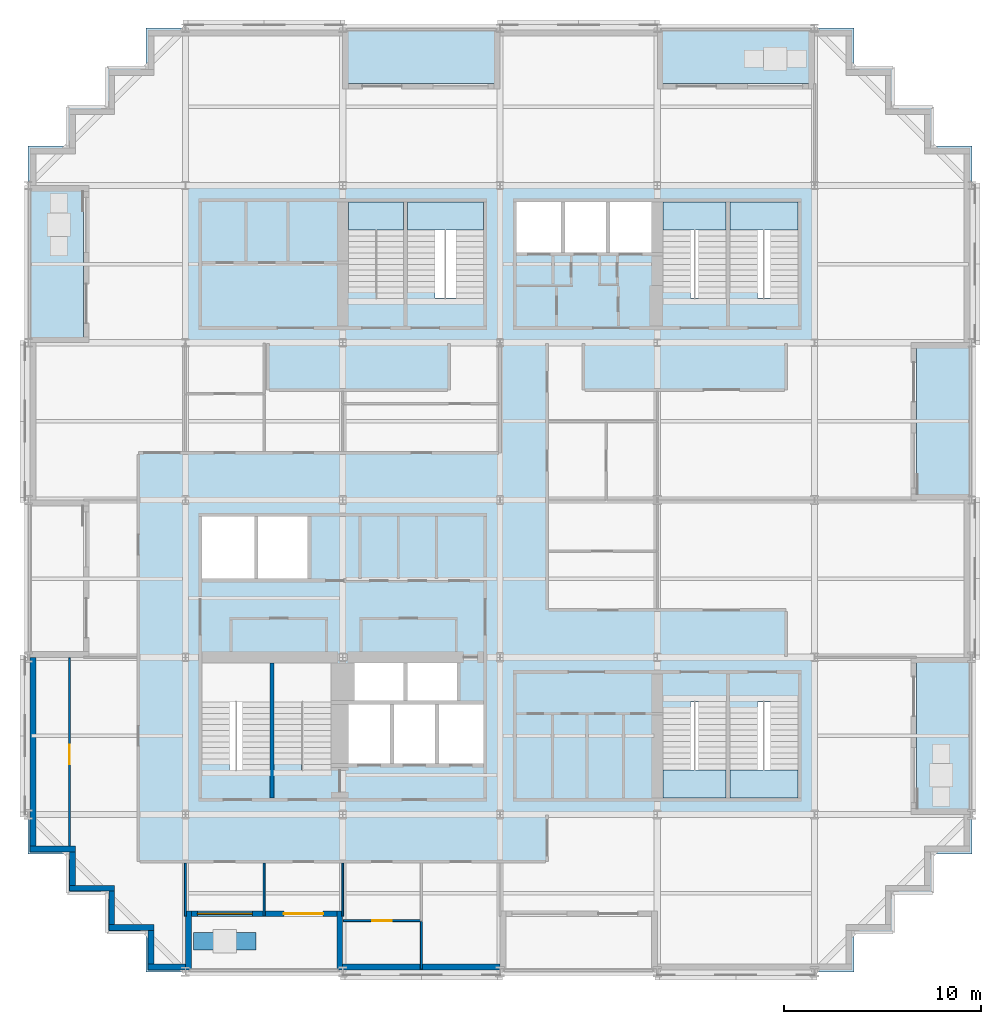
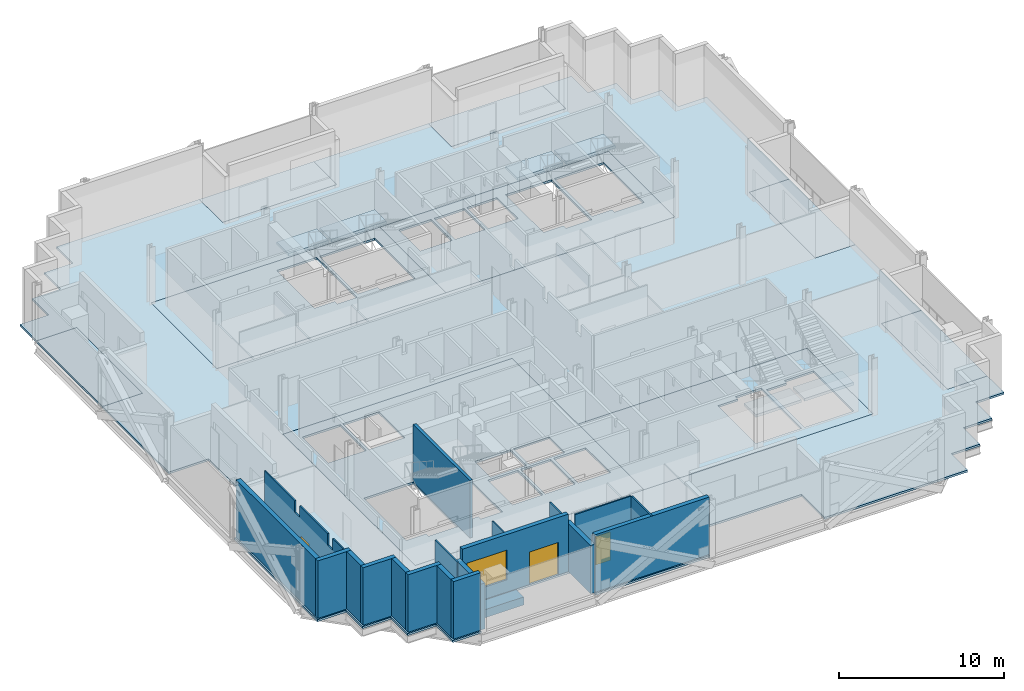
# One storey, part 4 of 14: 20 walls, 16 slabs, 3 doors, 1 window, 4 openings, 6 elements without a shape of their own.
"""IFC4 building model written with IfcOpenShell, lengths in metres."""

from ifc_helpers import new_model, si_unit, direction, frame, frame_2d, origin, place, context, subcontext, project, spatial, polyline, rectangle, outline, extrude, material, layer, layer_set, type_object, element, fill, aggregate, save


model = new_model("IFC4")

# Units and contexts
model_context = context("Model", 3, precision=1e-05, world=origin(), true_north=direction((0.0, 1.0)))
body_context = subcontext(model_context, "Body", "Model", "MODEL_VIEW")
ifc_project = project(units=[si_unit("LENGTHUNIT", "METRE"), si_unit("AREAUNIT", "SQUARE_METRE"), si_unit("VOLUMEUNIT", "CUBIC_METRE"), si_unit("PLANEANGLEUNIT", "RADIAN"), si_unit("MASSUNIT", "GRAM", prefix="KILO")], contexts=[model_context])

# Site, building, storey
site_placement = place(None, origin())
site = spatial("IfcSite", under=ifc_project, at=site_placement, CompositionType="ELEMENT")
building_placement = place(site_placement, origin())
building = spatial("IfcBuilding", under=site, at=building_placement, Name="Immortelle Media Tower", CompositionType="ELEMENT")
storey_placement = place(building_placement, frame((0.0, 0.0, 43.60009765625)))
storey = spatial("IfcBuildingStorey", under=building, at=storey_placement, Name="L06", CompositionType="ELEMENT", Elevation=43.60009765625)

# Slabs
ifc_material_1 = material(Name="Concrete C50/60 composite deck", Category="concrete")
ifc_layer_1 = layer(ifc_material_1, 0.14990234375)
ifc_layer_set_1 = layer_set([ifc_layer_1], Name="Concrete C50/60 composite deck")
slab_type_1 = type_object("IfcSlabType", Name="Balcony slab 150", PredefinedType="FLOOR", material=ifc_layer_set_1)
slab_1_placement = place(storey_placement, frame((0.0, 0.0, -0.150146484375)))
element("IfcSlab", 1, at=slab_1_placement, inside=storey, type_object=slab_type_1, Name="Balcony slab L06 W0", PredefinedType="FLOOR", context=body_context, shape_type="SweptSolid", body=[
    extrude(outline(polyline([(2.800048828125, 32.0), (2.800048828125, 40.0), (0.0, 40.0), (0.0, 32.0), (2.800048828125, 32.0)])), origin(), (0.0, 0.0, 1.0), 0.150146484375),
])
slab_2_placement = place(storey_placement, frame((0.0, 0.0, -0.150146484375)))
element("IfcSlab", 2, at=slab_2_placement, inside=storey, type_object=slab_type_1, Name="Balcony slab L06 E0", PredefinedType="FLOOR", context=body_context, shape_type="SweptSolid", body=[
    extrude(outline(polyline([(48.0, 8.0), (48.0, 16.0), (45.199951171875, 16.0), (45.199951171875, 8.0), (48.0, 8.0)])), origin(), (0.0, 0.0, 1.0), 0.150146484375),
])
slab_3_placement = place(storey_placement, frame((0.0, 0.0, -0.150146484375)))
element("IfcSlab", 3, at=slab_3_placement, inside=storey, type_object=slab_type_1, Name="Balcony slab L06 E2", PredefinedType="FLOOR", context=body_context, shape_type="SweptSolid", body=[
    extrude(outline(polyline([(48.0, 24.0), (48.0, 32.0), (45.199951171875, 32.0), (45.199951171875, 24.0), (48.0, 24.0)])), origin(), (0.0, 0.0, 1.0), 0.150146484375),
])
slab_4_placement = place(storey_placement, frame((0.0, 0.0, -0.150146484375)))
element("IfcSlab", 4, at=slab_4_placement, inside=storey, type_object=slab_type_1, Name="Balcony slab L06 N0", PredefinedType="FLOOR", context=body_context, shape_type="SweptSolid", body=[
    extrude(outline(polyline([(40.0, 45.199951171875), (40.0, 48.0), (32.0, 48.0), (32.0, 45.199951171875), (40.0, 45.199951171875)])), origin(), (0.0, 0.0, 1.0), 0.150146484375),
])
slab_5_placement = place(storey_placement, frame((0.0, 0.0, -0.150146484375)))
element("IfcSlab", 5, at=slab_5_placement, inside=storey, type_object=slab_type_1, Name="Balcony slab L06 N2", PredefinedType="FLOOR", context=body_context, shape_type="SweptSolid", body=[
    extrude(outline(polyline([(24.0, 45.199951171875), (24.0, 48.0), (16.0, 48.0), (16.0, 45.199951171875), (24.0, 45.199951171875)])), origin(), (0.0, 0.0, 1.0), 0.150146484375),
])
ifc_material_2 = material(Name="Concrete C50/60", Category="concrete")
ifc_layer_2 = layer(ifc_material_2, 0.14990234375)
ifc_layer_set_2 = layer_set([ifc_layer_2], Name="Concrete C50/60")
slab_type_2 = type_object("IfcSlabType", Name="Composite floor slab 150", PredefinedType="FLOOR", material=ifc_layer_set_2)
slab_6_placement = place(storey_placement, frame((0.0, 0.0, -0.150146484375)))
element("IfcSlab", 6, at=slab_6_placement, inside=storey, type_object=slab_type_2, Name="Floor slab L06", PredefinedType="FLOOR", context=body_context, shape_type="SweptSolid", body=[
    extrude(outline(polyline([(6.0, 0.0), (6.0, 2.0), (4.0, 2.0), (4.0, 4.0), (2.0, 4.0), (2.0, 6.0), (0.0, 6.0), (0.0, 16.0), (2.800048828125, 16.0), (2.800048828125, 24.0), (0.0, 24.0), (0.0, 32.0), (2.800048828125, 32.0), (2.800048828125, 40.0), (0.0, 40.0), (0.0, 42.0), (2.0, 42.0), (2.0, 44.0), (4.0, 44.0), (4.0, 46.0), (6.0, 46.0), (6.0, 48.0), (16.0, 48.0), (16.0, 45.199951171875), (24.0, 45.199951171875), (24.0, 48.0), (32.0, 48.0), (32.0, 45.199951171875), (40.0, 45.199951171875), (40.0, 48.0), (42.0, 48.0), (42.0, 46.0), (44.0, 46.0), (44.0, 44.0), (46.0, 44.0), (46.0, 42.0), (48.0, 42.0), (48.0, 32.0), (45.199951171875, 32.0), (45.199951171875, 24.0), (48.0, 24.0), (48.0, 16.0), (45.199951171875, 16.0), (45.199951171875, 8.0), (48.0, 8.0), (48.0, 6.0), (46.0, 6.0), (46.0, 4.0), (44.0, 4.0), (44.0, 2.0), (42.0, 2.0), (42.0, 0.0), (32.0, 0.0), (32.0, 2.800048828125), (24.0, 2.800048828125), (24.0, 0.0), (16.0, 0.0), (16.0, 2.800048828125), (8.0, 2.800048828125), (8.0, 0.0), (6.0, 0.0)]), holes=[polyline([(24.0, 24.0), (8.0, 24.0), (8.0, 8.0), (24.0, 8.0), (40.0, 8.0), (40.0, 16.0), (24.0, 16.0), (24.0, 24.0)]), polyline([(24.0, 32.0), (40.0, 32.0), (40.0, 40.0), (24.0, 40.0), (8.0, 40.0), (8.0, 32.0), (24.0, 32.0)])]), origin(), (0.0, 0.0, 1.0), 0.150146484375),
])
ifc_layer_3 = layer(ifc_material_2, 0.14990234375)
ifc_layer_set_3 = layer_set([ifc_layer_3], Name="Concrete C50/60")
slab_type_3 = type_object("IfcSlabType", Name="Core floor slab 150", PredefinedType="FLOOR", material=ifc_layer_set_3)
slab_7_placement = place(storey_placement, frame((0.0, 0.0, -0.150146484375)))
element("IfcSlab", 7, at=slab_7_placement, inside=storey, type_object=slab_type_3, Name="Core floor SW", PredefinedType="FLOOR", context=body_context, shape_type="SweptSolid", body=[
    extrude(outline(polyline([(8.0, 8.0), (24.0, 8.0), (24.0, 24.0), (8.0, 24.0), (8.0, 8.0)]), holes=[polyline([(8.85009765625, 20.0), (11.5, 20.0), (11.5, 23.14990234375), (8.85009765625, 23.14990234375), (8.85009765625, 20.0)]), polyline([(11.699951171875, 20.0), (14.199951171875, 20.0), (14.199951171875, 23.14990234375), (11.699951171875, 23.14990234375), (11.699951171875, 20.0)]), polyline([(16.60009765625, 13.800048828125), (19.10009765625, 13.800048828125), (19.10009765625, 15.699951171875), (16.60009765625, 15.699951171875), (16.60009765625, 13.800048828125)]), polyline([(19.300048828125, 13.800048828125), (21.800048828125, 13.800048828125), (21.800048828125, 15.699951171875), (19.300048828125, 15.699951171875), (19.300048828125, 13.800048828125)]), polyline([(16.300048828125, 10.60009765625), (18.39990234375, 10.60009765625), (18.39990234375, 13.60009765625), (16.300048828125, 13.60009765625), (16.300048828125, 10.60009765625)]), polyline([(18.60009765625, 10.60009765625), (20.699951171875, 10.60009765625), (20.699951171875, 13.60009765625), (18.60009765625, 13.60009765625), (18.60009765625, 10.60009765625)]), polyline([(20.89990234375, 10.60009765625), (23.14990234375, 10.60009765625), (23.14990234375, 13.60009765625), (20.89990234375, 13.60009765625), (20.89990234375, 10.60009765625)]), polyline([(8.85009765625, 15.699951171875), (12.300048828125, 15.699951171875), (12.300048828125, 10.27001953125), (10.25, 10.27001953125), (10.25, 10.56005859375), (8.85009765625, 10.56005859375), (8.85009765625, 15.699951171875)]), polyline([(12.5, 15.699951171875), (15.39990234375, 15.699951171875), (15.39990234375, 10.27001953125), (13.89990234375, 10.27001953125), (13.89990234375, 10.56005859375), (12.5, 10.56005859375), (12.5, 15.699951171875)])]), origin(), (0.0, 0.0, 1.0), 0.150146484375),
])
slab_8_placement = place(storey_placement, frame((0.0, 0.0, -0.150146484375)))
element("IfcSlab", 8, at=slab_8_placement, inside=storey, type_object=slab_type_3, Name="Core floor SE", PredefinedType="FLOOR", context=body_context, shape_type="SweptSolid", body=[
    extrude(outline(polyline([(24.0, 8.0), (40.0, 8.0), (40.0, 16.0), (24.0, 16.0), (24.0, 8.0)]), holes=[polyline([(35.5, 13.72998046875), (35.5, 8.85009765625), (32.300048828125, 8.85009765625), (32.300048828125, 13.43994140625), (33.699951171875, 13.43994140625), (33.699951171875, 13.72998046875), (35.5, 13.72998046875)]), polyline([(39.14990234375, 13.72998046875), (39.14990234375, 8.85009765625), (35.699951171875, 8.85009765625), (35.699951171875, 13.43994140625), (37.10009765625, 13.43994140625), (37.10009765625, 13.72998046875), (39.14990234375, 13.72998046875)])]), origin(), (0.0, 0.0, 1.0), 0.150146484375),
])
slab_9_placement = place(storey_placement, frame((0.0, 0.0, -0.150146484375)))
element("IfcSlab", 9, at=slab_9_placement, inside=storey, type_object=slab_type_3, Name="Core floor NW", PredefinedType="FLOOR", context=body_context, shape_type="SweptSolid", body=[
    extrude(outline(polyline([(8.0, 32.0), (24.0, 32.0), (24.0, 40.0), (8.0, 40.0), (8.0, 32.0)]), holes=[polyline([(16.300048828125, 39.14990234375), (19.10009765625, 39.14990234375), (19.10009765625, 34.27001953125), (17.699951171875, 34.27001953125), (17.699951171875, 34.56005859375), (16.300048828125, 34.56005859375), (16.300048828125, 39.14990234375)]), polyline([(19.300048828125, 39.14990234375), (23.14990234375, 39.14990234375), (23.14990234375, 34.27001953125), (20.699951171875, 34.27001953125), (20.699951171875, 34.56005859375), (19.300048828125, 34.56005859375), (19.300048828125, 39.14990234375)])]), origin(), (0.0, 0.0, 1.0), 0.150146484375),
])
slab_10_placement = place(storey_placement, frame((0.0, 0.0, -0.150146484375)))
element("IfcSlab", 10, at=slab_10_placement, inside=storey, type_object=slab_type_3, Name="Core floor NE", PredefinedType="FLOOR", context=body_context, shape_type="SweptSolid", body=[
    extrude(outline(polyline([(24.0, 32.0), (40.0, 32.0), (40.0, 40.0), (24.0, 40.0), (24.0, 32.0)]), holes=[polyline([(24.85009765625, 36.60009765625), (27.10009765625, 36.60009765625), (27.10009765625, 39.14990234375), (24.85009765625, 39.14990234375), (24.85009765625, 36.60009765625)]), polyline([(27.300048828125, 36.60009765625), (29.39990234375, 36.60009765625), (29.39990234375, 39.14990234375), (27.300048828125, 39.14990234375), (27.300048828125, 36.60009765625)]), polyline([(29.60009765625, 36.60009765625), (31.699951171875, 36.60009765625), (31.699951171875, 39.14990234375), (29.60009765625, 39.14990234375), (29.60009765625, 36.60009765625)]), polyline([(32.300048828125, 39.14990234375), (35.5, 39.14990234375), (35.5, 34.27001953125), (33.699951171875, 34.27001953125), (33.699951171875, 34.56005859375), (32.300048828125, 34.56005859375), (32.300048828125, 39.14990234375)]), polyline([(35.699951171875, 39.14990234375), (39.14990234375, 39.14990234375), (39.14990234375, 34.27001953125), (37.10009765625, 34.27001953125), (37.10009765625, 34.56005859375), (35.699951171875, 34.56005859375), (35.699951171875, 39.14990234375)])]), origin(), (0.0, 0.0, 1.0), 0.150146484375),
])

# Stair, slab
ifc_material_3 = material(Name="Steel ASTM A992 Gr 50", Category="steel")
stair_type = type_object("IfcStairType", Name="Stair with flights", PredefinedType="DOUBLE_RETURN_STAIR", material=ifc_material_3)
stair_1_placement = place(storey_placement, origin())
stair_1 = element("IfcStair", 11, at=stair_1_placement, inside=storey, type_object=stair_type, Name="Exit stair SE1", PredefinedType="DOUBLE_RETURN_STAIR")
ifc_material_4 = material(Name="Steel ASTM A572 Gr 50", Category="steel")
ifc_layer_4 = layer(ifc_material_4, 0.199951171875)
ifc_layer_set_4 = layer_set([ifc_layer_4], Name="Steel ASTM A572 Gr 50")
slab_type_4 = type_object("IfcSlabType", Name="Stair landing 200", PredefinedType="LANDING", material=ifc_layer_set_4)
slab_11_placement = place(storey_placement, frame((0.0, 0.0, 1.911865234375)))
slab_11 = element("IfcSlab", 12, at=slab_11_placement, type_object=slab_type_4, Name="ST SE1 landing 1", PredefinedType="LANDING", context=body_context, shape_type="SweptSolid", body=[
    extrude(outline(polyline([(32.300048828125, 8.85009765625), (35.5, 8.85009765625), (35.5, 10.27001953125), (32.300048828125, 10.27001953125), (32.300048828125, 8.85009765625)])), origin(), (0.0, 0.0, 1.0), 0.199951171875),
])
aggregate(stair_1, [slab_11])

stair_2_placement = place(storey_placement, origin())
stair_2 = element("IfcStair", 13, at=stair_2_placement, inside=storey, type_object=stair_type, Name="Exit stair SE2", PredefinedType="DOUBLE_RETURN_STAIR")
slab_12_placement = place(storey_placement, frame((0.0, 0.0, 1.911865234375)))
slab_12 = element("IfcSlab", 14, at=slab_12_placement, type_object=slab_type_4, Name="ST SE2 landing 1", PredefinedType="LANDING", context=body_context, shape_type="SweptSolid", body=[
    extrude(outline(polyline([(35.699951171875, 8.85009765625), (39.14990234375, 8.85009765625), (39.14990234375, 10.27001953125), (35.699951171875, 10.27001953125), (35.699951171875, 8.85009765625)])), origin(), (0.0, 0.0, 1.0), 0.199951171875),
])
aggregate(stair_2, [slab_12])

stair_3_placement = place(storey_placement, origin())
stair_3 = element("IfcStair", 15, at=stair_3_placement, inside=storey, type_object=stair_type, Name="Exit stair NW1", PredefinedType="DOUBLE_RETURN_STAIR")
slab_13_placement = place(storey_placement, frame((0.0, 0.0, 1.911865234375)))
slab_13 = element("IfcSlab", 16, at=slab_13_placement, type_object=slab_type_4, Name="ST NW1 landing 1", PredefinedType="LANDING", context=body_context, shape_type="SweptSolid", body=[
    extrude(outline(polyline([(16.300048828125, 37.72998046875), (19.10009765625, 37.72998046875), (19.10009765625, 39.14990234375), (16.300048828125, 39.14990234375), (16.300048828125, 37.72998046875)])), origin(), (0.0, 0.0, 1.0), 0.199951171875),
])
aggregate(stair_3, [slab_13])

stair_4_placement = place(storey_placement, origin())
stair_4 = element("IfcStair", 17, at=stair_4_placement, inside=storey, type_object=stair_type, Name="Exit stair NW2", PredefinedType="DOUBLE_RETURN_STAIR")
slab_14_placement = place(storey_placement, frame((0.0, 0.0, 1.911865234375)))
slab_14 = element("IfcSlab", 18, at=slab_14_placement, type_object=slab_type_4, Name="ST NW2 landing 1", PredefinedType="LANDING", context=body_context, shape_type="SweptSolid", body=[
    extrude(outline(polyline([(19.300048828125, 37.72998046875), (23.14990234375, 37.72998046875), (23.14990234375, 39.14990234375), (19.300048828125, 39.14990234375), (19.300048828125, 37.72998046875)])), origin(), (0.0, 0.0, 1.0), 0.199951171875),
])
aggregate(stair_4, [slab_14])

stair_5_placement = place(storey_placement, origin())
stair_5 = element("IfcStair", 19, at=stair_5_placement, inside=storey, type_object=stair_type, Name="Exit stair NE1", PredefinedType="DOUBLE_RETURN_STAIR")
slab_15_placement = place(storey_placement, frame((0.0, 0.0, 1.911865234375)))
slab_15 = element("IfcSlab", 20, at=slab_15_placement, type_object=slab_type_4, Name="ST NE1 landing 1", PredefinedType="LANDING", context=body_context, shape_type="SweptSolid", body=[
    extrude(outline(polyline([(32.300048828125, 37.72998046875), (35.5, 37.72998046875), (35.5, 39.14990234375), (32.300048828125, 39.14990234375), (32.300048828125, 37.72998046875)])), origin(), (0.0, 0.0, 1.0), 0.199951171875),
])
aggregate(stair_5, [slab_15])

stair_6_placement = place(storey_placement, origin())
stair_6 = element("IfcStair", 21, at=stair_6_placement, inside=storey, type_object=stair_type, Name="Exit stair NE2", PredefinedType="DOUBLE_RETURN_STAIR")
slab_16_placement = place(storey_placement, frame((0.0, 0.0, 1.911865234375)))
slab_16 = element("IfcSlab", 22, at=slab_16_placement, type_object=slab_type_4, Name="ST NE2 landing 1", PredefinedType="LANDING", context=body_context, shape_type="SweptSolid", body=[
    extrude(outline(polyline([(35.699951171875, 37.72998046875), (39.14990234375, 37.72998046875), (39.14990234375, 39.14990234375), (35.699951171875, 39.14990234375), (35.699951171875, 37.72998046875)])), origin(), (0.0, 0.0, 1.0), 0.199951171875),
])
aggregate(stair_6, [slab_16])

# Walls
ifc_material_5 = material(Name="Pale aluminium cladding panel", Category="aluminium")
ifc_layer_5 = layer(ifc_material_5, 0.030029296875)
ifc_material_6 = material(Name="Steel ASTM A653 SS Gr 50 stud frame with mineral wool", Category="steel")
ifc_layer_6 = layer(ifc_material_6, 0.257568359375)
ifc_material_7 = material(Name="Moisture-resistant gypsum board", Category="gypsum")
ifc_layer_7 = layer(ifc_material_7, 0.012451171875)
ifc_layer_set_5 = layer_set([ifc_layer_5, ifc_layer_6, ifc_layer_7], Name="Steel ASTM A653 SS Gr 50 stud frame with mineral wool")
wall_type_1 = type_object("IfcWallType", Name="Facade wall 300", PredefinedType="SOLIDWALL", material=ifc_layer_set_5)
wall_1_placement = place(storey_placement, frame((0.25, 16.0, 0.0), z_axis=(0.0, 0.0, 1.0), x_axis=(0.0, -1.0, 0.0)))
element("IfcWall", 23, at=wall_1_placement, inside=storey, type_object=wall_type_1, Name="Facade wall L06 W0", PredefinedType="SOLIDWALL", context=body_context, shape_type="SweptSolid", body=[
    extrude(rectangle(XDim=9.60009765625, YDim=0.300048828125, at=frame_2d((4.800048828125, 0.0))), origin(), (0.0, 0.0, 1.0), 4.25),
])
wall_2_placement = place(storey_placement, frame((0.10009765625, 6.25, 0.0), z_axis=(0.0, 0.0, 1.0), x_axis=(1.0, 0.0, 0.0)))
element("IfcWall", 24, at=wall_2_placement, inside=storey, type_object=wall_type_1, Name="Facade wall L06 S1", PredefinedType="SOLIDWALL", context=body_context, shape_type="SweptSolid", body=[
    extrude(rectangle(XDim=2.2998046875, YDim=0.300048828125, at=frame_2d((1.14990234375, 0.0))), origin(), (0.0, 0.0, 1.0), 4.25),
])
wall_3_placement = place(storey_placement, frame((2.25, 6.10009765625, 0.0), z_axis=(0.0, 0.0, 1.0), x_axis=(0.0, -1.0, 0.0)))
element("IfcWall", 25, at=wall_3_placement, inside=storey, type_object=wall_type_1, Name="Facade wall L06 W2", PredefinedType="SOLIDWALL", context=body_context, shape_type="SweptSolid", body=[
    extrude(rectangle(XDim=1.7001953125, YDim=0.300048828125, at=frame_2d((0.85009765625, 0.0))), origin(), (0.0, 0.0, 1.0), 4.25),
])
wall_4_placement = place(storey_placement, frame((2.10009765625, 4.25, 0.0), z_axis=(0.0, 0.0, 1.0), x_axis=(1.0, 0.0, 0.0)))
element("IfcWall", 26, at=wall_4_placement, inside=storey, type_object=wall_type_1, Name="Facade wall L06 S3", PredefinedType="SOLIDWALL", context=body_context, shape_type="SweptSolid", body=[
    extrude(rectangle(XDim=2.2998046875, YDim=0.300048828125, at=frame_2d((1.14990234375, 0.0))), origin(), (0.0, 0.0, 1.0), 4.25),
])
wall_5_placement = place(storey_placement, frame((4.25, 4.10009765625, 0.0), z_axis=(0.0, 0.0, 1.0), x_axis=(0.0, -1.0, 0.0)))
element("IfcWall", 27, at=wall_5_placement, inside=storey, type_object=wall_type_1, Name="Facade wall L06 W4", PredefinedType="SOLIDWALL", context=body_context, shape_type="SweptSolid", body=[
    extrude(rectangle(XDim=1.7001953125, YDim=0.300048828125, at=frame_2d((0.85009765625, 0.0))), origin(), (0.0, 0.0, 1.0), 4.25),
])
wall_6_placement = place(storey_placement, frame((4.10009765625, 2.25, 0.0), z_axis=(0.0, 0.0, 1.0), x_axis=(1.0, 0.0, 0.0)))
element("IfcWall", 28, at=wall_6_placement, inside=storey, type_object=wall_type_1, Name="Facade wall L06 S5", PredefinedType="SOLIDWALL", context=body_context, shape_type="SweptSolid", body=[
    extrude(rectangle(XDim=2.2998046875, YDim=0.300048828125, at=frame_2d((1.14990234375, 0.0))), origin(), (0.0, 0.0, 1.0), 4.25),
])
wall_7_placement = place(storey_placement, frame((6.25, 2.10009765625, 0.0), z_axis=(0.0, 0.0, 1.0), x_axis=(0.0, -1.0, 0.0)))
element("IfcWall", 29, at=wall_7_placement, inside=storey, type_object=wall_type_1, Name="Facade wall L06 W6", PredefinedType="SOLIDWALL", context=body_context, shape_type="SweptSolid", body=[
    extrude(rectangle(XDim=1.7001953125, YDim=0.300048828125, at=frame_2d((0.85009765625, 0.0))), origin(), (0.0, 0.0, 1.0), 4.25),
])
wall_8_placement = place(storey_placement, frame((6.10009765625, 0.25, 0.0), z_axis=(0.0, 0.0, 1.0), x_axis=(1.0, 0.0, 0.0)))
element("IfcWall", 30, at=wall_8_placement, inside=storey, type_object=wall_type_1, Name="Facade wall L06 S7", PredefinedType="SOLIDWALL", context=body_context, shape_type="SweptSolid", body=[
    extrude(rectangle(XDim=1.89990234375, YDim=0.300048828125, at=frame_2d((0.949951171875, 0.0))), origin(), (0.0, 0.0, 1.0), 4.25),
])

# Wall, openings, door, window
wall_9_placement = place(storey_placement, frame((8.300048828125, 2.949951171875, 0.0), z_axis=(0.0, 0.0, 1.0), x_axis=(1.0, 0.0, 0.0)))
wall_9 = element("IfcWall", 31, at=wall_9_placement, inside=storey, type_object=wall_type_1, Name="Loggia wall L06 S7", PredefinedType="SOLIDWALL", context=body_context, shape_type="SweptSolid", body=[
    extrude(rectangle(XDim=7.39990234375, YDim=0.300048828125, at=frame_2d((3.699951171875, 0.0))), origin(), (0.0, 0.0, 1.0), 4.25),
])
opening_1_placement = place(wall_9_placement, frame((0.300048828125, 0.0, 0.89990234375)))
opening_1 = element("IfcOpeningElement", 32, at=opening_1_placement, cuts=wall_9, Name="Opening W1", PredefinedType="OPENING", context=body_context, shape_type="SweptSolid", body=[
    extrude(rectangle(XDim=2.800048828125, YDim=2.199951171875, at=frame_2d((1.39990234375, 1.10009765625))), frame((0.0, 0.159912109375, 0.0), z_axis=(0.0, -1.0, 0.0), x_axis=(1.0, 0.0, 0.0)), (0.0, 0.0, 1.0), 0.320068359375),
])
opening_2_placement = place(wall_9_placement, frame((4.699951171875, 0.0, 0.0)))
opening_2 = element("IfcOpeningElement", 33, at=opening_2_placement, cuts=wall_9, Name="Opening N1-E003", PredefinedType="OPENING", context=body_context, shape_type="SweptSolid", body=[
    extrude(rectangle(XDim=2.0, YDim=2.39990234375, at=frame_2d((1.0, 1.199951171875))), frame((0.0, 0.159912109375, 0.0), z_axis=(0.0, -1.0, 0.0), x_axis=(1.0, 0.0, 0.0)), (0.0, 0.0, 1.0), 0.320068359375),
])
ifc_material_8 = material(Name="Aluminium frame, glazed leaves", Category="aluminium")
door_type_1 = type_object("IfcDoorType", Name="Loggia door 2000 x 2400", OperationType="DOUBLE_DOOR_SINGLE_SWING", PredefinedType="DOOR", material=ifc_material_8)
door_1_placement = place(opening_2_placement, origin())
door_1 = element("IfcDoor", 34, at=door_1_placement, inside=storey, type_object=door_type_1, Name="Door N1-E003", OperationType="DOUBLE_DOOR_SINGLE_SWING", OverallHeight=2.39990234375, OverallWidth=2.0, PredefinedType="DOOR", context=body_context, shape_type="SweptSolid", body=[
    extrude(rectangle(XDim=2.0, YDim=2.39990234375, at=frame_2d((1.0, 1.199951171875))), frame((0.0, 0.02490234375, 0.0), z_axis=(0.0, -1.0, 0.0), x_axis=(1.0, 0.0, 0.0)), (0.0, 0.0, 1.0), 0.050048828125),
])
fill(opening_2, door_1)
ifc_material_9 = material(Name="Aluminium frame", Category="aluminium")
window_type = type_object("IfcWindowType", Name="Window 2800 x 2200", PartitioningType="SINGLE_PANEL", PredefinedType="WINDOW", material=ifc_material_9)
window_placement = place(opening_1_placement, origin())
window = element("IfcWindow", 35, at=window_placement, inside=storey, type_object=window_type, Name="Window L06 L06-R7-B0", OverallHeight=2.199951171875, OverallWidth=2.800048828125, PartitioningType="SINGLE_PANEL", PredefinedType="WINDOW", context=body_context, shape_type="SweptSolid", body=[
    extrude(rectangle(XDim=2.800048828125, YDim=2.199951171875, at=frame_2d((1.39990234375, 1.10009765625))), frame((0.0, 0.030029296875, 0.0), z_axis=(0.0, -1.0, 0.0), x_axis=(1.0, 0.0, 0.0)), (0.0, 0.0, 1.0), 0.06005859375),
])
fill(opening_1, window)

# Walls
wall_10_placement = place(storey_placement, frame((8.14990234375, 0.10009765625, 0.0), z_axis=(0.0, 0.0, 1.0), x_axis=(0.0, 1.0, 0.0)))
element("IfcWall", 36, at=wall_10_placement, inside=storey, type_object=wall_type_1, Name="Loggia cheek wall L06 S", PredefinedType="SOLIDWALL", context=body_context, shape_type="SweptSolid", body=[
    extrude(rectangle(XDim=3.0, YDim=0.300048828125, at=frame_2d((1.5, 0.0))), origin(), (0.0, 0.0, 1.0), 3.389892578125),
])
wall_11_placement = place(storey_placement, frame((15.85009765625, 0.10009765625, 0.0), z_axis=(0.0, 0.0, 1.0), x_axis=(0.0, 1.0, 0.0)))
element("IfcWall", 37, at=wall_11_placement, inside=storey, type_object=wall_type_1, Name="Loggia cheek wall L06 S", PredefinedType="SOLIDWALL", context=body_context, shape_type="SweptSolid", body=[
    extrude(rectangle(XDim=3.0, YDim=0.300048828125, at=frame_2d((1.5, 0.0))), origin(), (0.0, 0.0, 1.0), 3.552978515625),
])
wall_12_placement = place(storey_placement, frame((16.0, 0.25, 0.0), z_axis=(0.0, 0.0, 1.0), x_axis=(1.0, 0.0, 0.0)))
element("IfcWall", 38, at=wall_12_placement, inside=storey, type_object=wall_type_1, Name="Facade wall L06 S7", PredefinedType="SOLIDWALL", context=body_context, shape_type="SweptSolid", body=[
    extrude(rectangle(XDim=8.0, YDim=0.300048828125, at=frame_2d((4.0, 0.0))), origin(), (0.0, 0.0, 1.0), 4.25),
])
ifc_material_10 = material(Name="Gypsum board", Category="gypsum")
ifc_layer_8 = layer(ifc_material_10, 0.012451171875)
ifc_layer_9 = layer(ifc_material_6, 0.074951171875)
ifc_layer_10 = layer(ifc_material_10, 0.012451171875)
ifc_layer_set_6 = layer_set([ifc_layer_8, ifc_layer_9, ifc_layer_10], Name="Steel ASTM A653 SS Gr 50 stud frame with mineral wool")
wall_type_2 = type_object("IfcWallType", Name="Partition 100", PredefinedType="PARTITIONING", material=ifc_layer_set_6)
wall_13_placement = place(storey_placement, frame((20.0, 0.1298828125, 0.0), z_axis=(0.0, 0.0, 1.0), x_axis=(0.0, 1.0, 0.0)))
element("IfcWall", 39, at=wall_13_placement, inside=storey, type_object=wall_type_2, Name="Partition L06-001", PredefinedType="PARTITIONING", context=body_context, shape_type="SweptSolid", body=[
    extrude(rectangle(XDim=2.420166015625, YDim=0.10009765625, at=frame_2d((1.2099609375, 0.0))), origin(), (0.0, 0.0, 1.0), 4.25),
])

# Wall, opening, door
wall_14_placement = place(storey_placement, frame((16.030029296875, 2.60009765625, 0.0), z_axis=(0.0, 0.0, 1.0), x_axis=(1.0, 0.0, 0.0)))
wall_14 = element("IfcWall", 40, at=wall_14_placement, inside=storey, type_object=wall_type_2, Name="Partition L06-002", PredefinedType="PARTITIONING", context=body_context, shape_type="SweptSolid", body=[
    extrude(rectangle(XDim=3.919921875, YDim=0.10009765625, at=frame_2d((1.9599609375, 0.0))), origin(), (0.0, 0.0, 1.0), 4.25),
])
opening_3_placement = place(wall_14_placement, frame((1.469970703125, 0.0, 0.0)))
opening_3 = element("IfcOpeningElement", 41, at=opening_3_placement, cuts=wall_14, Name="Opening N1-F002", PredefinedType="OPENING", context=body_context, shape_type="SweptSolid", body=[
    extrude(rectangle(XDim=1.0, YDim=2.10009765625, at=frame_2d((0.5, 1.050048828125))), frame((0.0, 0.06005859375, 0.0), z_axis=(0.0, -1.0, 0.0), x_axis=(1.0, 0.0, 0.0)), (0.0, 0.0, 1.0), 0.1201171875),
])
ifc_material_11 = material(Name="Timber veneered door leaf, galvanised steel frame ASTM A653", Category="steel")
door_type_2 = type_object("IfcDoorType", Name="Room door 1000 x 2100", OperationType="NOTDEFINED", PredefinedType="DOOR", material=ifc_material_11)
door_2_placement = place(opening_3_placement, origin())
door_2 = element("IfcDoor", 42, at=door_2_placement, inside=storey, type_object=door_type_2, Name="Door N1-F002", OperationType="SINGLE_SWING_RIGHT", OverallHeight=2.10009765625, OverallWidth=1.0, PredefinedType="DOOR", context=body_context, shape_type="SweptSolid", body=[
    extrude(rectangle(XDim=1.0, YDim=2.10009765625, at=frame_2d((0.5, 1.050048828125))), frame((0.0, 0.02490234375, 0.0), z_axis=(0.0, -1.0, 0.0), x_axis=(1.0, 0.0, 0.0)), (0.0, 0.0, 1.0), 0.050048828125),
])
fill(opening_3, door_2)

# Walls
for number, where, z_axis, x_axis, name in (
    (43, (8.0, 2.830078125, 0.0), (0.0, 0.0, 1.0), (0.0, 1.0, 0.0), "Partition L06-004"),
    (44, (12.0, 2.830078125, 0.0), (0.0, 0.0, 1.0), (0.0, 1.0, 0.0), "Partition L06-005"),
    (45, (16.0, 2.830078125, 0.0), (0.0, 0.0, 1.0), (0.0, 1.0, 0.0), "Partition L06-006"),
):
    element("IfcWall", number, at=place(storey_placement, frame(where, z_axis=z_axis, x_axis=x_axis)), inside=storey, type_object=wall_type_2, Name=name, PredefinedType="PARTITIONING", context=body_context, shape_type="SweptSolid", body=[
        extrude(rectangle(XDim=2.69482421875, YDim=0.10009765625, at=frame_2d((1.347412109375, 0.0))), origin(), (0.0, 0.0, 1.0), 3.390869140625),
    ])

# Wall, opening, door
wall_15_placement = place(storey_placement, frame((2.10009765625, 6.1298828125, 0.0), z_axis=(0.0, 0.0, 1.0), x_axis=(0.0, 1.0, 0.0)))
wall_15 = element("IfcWall", 46, at=wall_15_placement, inside=storey, type_object=wall_type_2, Name="Partition L06-011", PredefinedType="PARTITIONING", context=body_context, shape_type="SweptSolid", body=[
    extrude(outline(polyline([(0.0, 0.0), (9.840087890625, 0.0), (9.840087890625, 4.25), (6.169921875, 4.25), (6.16796875, 3.390869140625), (5.572021484375, 3.390869140625), (5.570068359375, 4.25), (2.169921875, 4.25), (2.16796875, 3.390869140625), (1.572021484375, 3.390869140625), (1.570068359375, 4.25), (0.0, 4.25), (0.0, 0.0)])), frame((0.0, 0.050048828125, 0.0), z_axis=(0.0, -1.0, 0.0), x_axis=(1.0, 0.0, 0.0)), (0.0, 0.0, 1.0), 0.10009765625),
])
opening_4_placement = place(wall_15_placement, frame((5.419921875, 0.0, 0.0), z_axis=(0.0, 0.0, 1.0), x_axis=(-1.0, 0.0, 0.0)))
opening_4 = element("IfcOpeningElement", 47, at=opening_4_placement, cuts=wall_15, Name="Opening N1-F008", PredefinedType="OPENING", context=body_context, shape_type="SweptSolid", body=[
    extrude(rectangle(XDim=1.0, YDim=2.10009765625, at=frame_2d((0.5, 1.050048828125))), frame((0.0, 0.06005859375, 0.0), z_axis=(0.0, -1.0, 0.0), x_axis=(1.0, 0.0, 0.0)), (0.0, 0.0, 1.0), 0.1201171875),
])
door_3_placement = place(opening_4_placement, origin())
door_3 = element("IfcDoor", 48, at=door_3_placement, inside=storey, type_object=door_type_2, Name="Door N1-F008", OperationType="SINGLE_SWING_LEFT", OverallHeight=2.10009765625, OverallWidth=1.0, PredefinedType="DOOR", context=body_context, shape_type="SweptSolid", body=[
    extrude(rectangle(XDim=1.0, YDim=2.10009765625, at=frame_2d((0.5, 1.050048828125))), frame((0.0, 0.02490234375, 0.0), z_axis=(0.0, -1.0, 0.0), x_axis=(1.0, 0.0, 0.0)), (0.0, 0.0, 1.0), 0.050048828125),
])
fill(opening_4, door_3)

# Walls
ifc_layer_11 = layer(ifc_material_5, 0.0029296875)
ifc_material_12 = material(Name="Steel ASTM A572 Gr 50 planter shell", Category="steel")
ifc_layer_12 = layer(ifc_material_12, 0.011962890625)
ifc_material_13 = material(Name="Planting substrate", Category="soil")
ifc_layer_13 = layer(ifc_material_13, 0.873046875)
ifc_layer_14 = layer(ifc_material_12, 0.011962890625)
ifc_layer_set_7 = layer_set([ifc_layer_11, ifc_layer_12, ifc_layer_13, ifc_layer_14], Name="Steel ASTM A572 Gr 50 planter shell")
wall_type_3 = type_object("IfcWallType", Name="Planter wall 900", PredefinedType="SOLIDWALL", material=ifc_layer_set_7)
wall_16_placement = place(storey_placement, frame((8.39990234375, 1.550048828125, 0.0), z_axis=(0.0, 0.0, 1.0), x_axis=(1.0, 0.0, 0.0)))
element("IfcWall", 49, at=wall_16_placement, inside=storey, type_object=wall_type_3, Name="Planter L06 S0", PredefinedType="SOLIDWALL", context=body_context, shape_type="SweptSolid", body=[
    extrude(rectangle(XDim=3.2001953125, YDim=0.89990234375, at=frame_2d((1.60009765625, 0.0))), origin(), (0.0, 0.0, 1.0), 0.599853515625),
])
ifc_material_14 = material(Name="Concrete C60", Category="concrete")
ifc_layer_15 = layer(ifc_material_14, 0.199951171875)
ifc_layer_set_8 = layer_set([ifc_layer_15], Name="Concrete C60")
wall_type_4 = type_object("IfcWallType", Name="Stair shaft wall 200", PredefinedType="PARTITIONING", material=ifc_layer_set_8)
wall_17_placement = place(storey_placement, frame((12.39990234375, 8.85009765625, 0.0), z_axis=(0.0, 0.0, 1.0), x_axis=(0.0, 1.0, 0.0)))
element("IfcWall", 50, at=wall_17_placement, inside=storey, type_object=wall_type_4, Name="Stair shaft wall SW", PredefinedType="PARTITIONING", context=body_context, shape_type="SweptSolid", body=[
    extrude(rectangle(XDim=6.849853515625, YDim=0.199951171875, at=frame_2d((3.4248046875, 0.0))), origin(), (0.0, 0.0, 1.0), 4.25),
])

save(model, "model.ifc")
